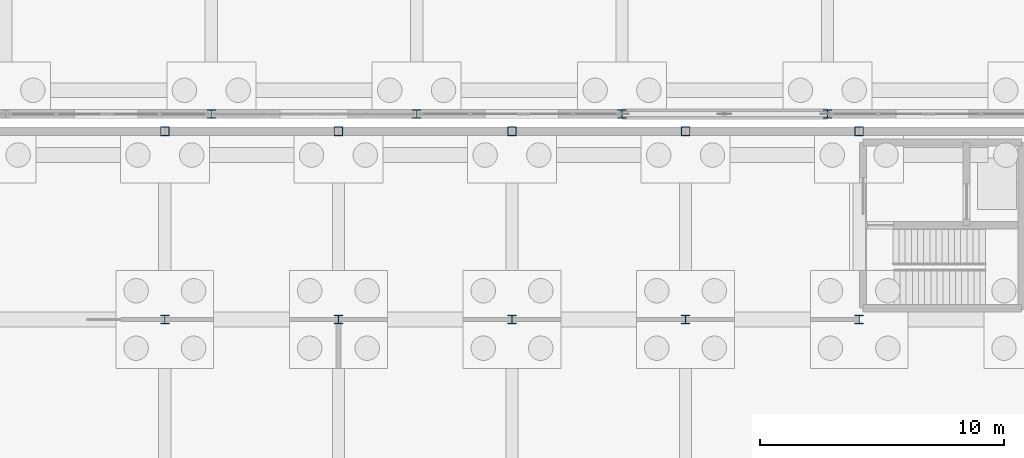
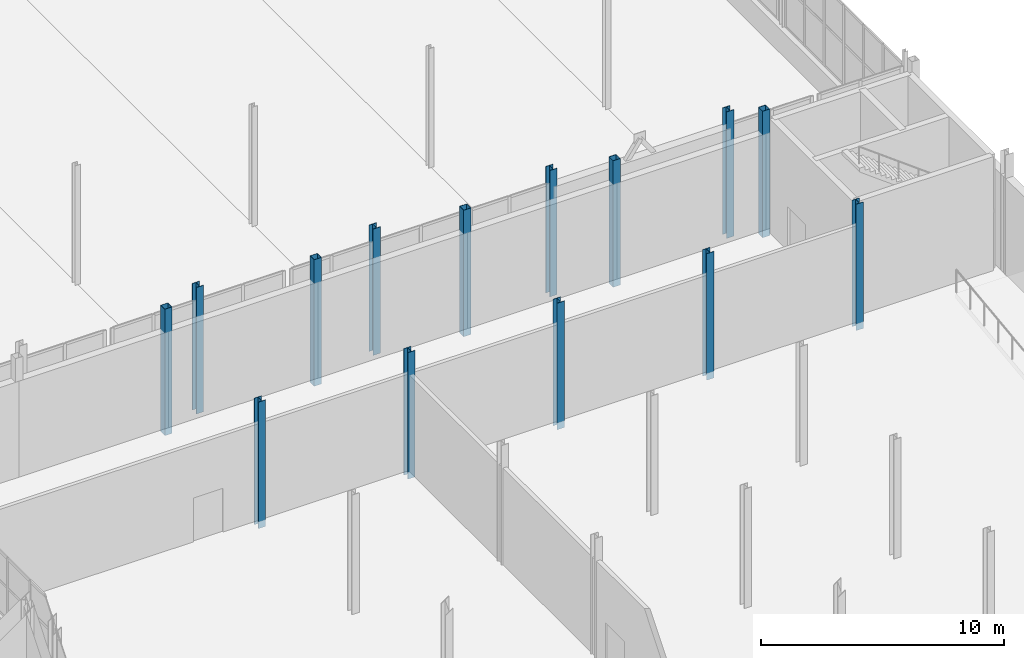
# One storey, part 42 of 139: 14 columns.
"""IFC4 building model written with IfcOpenShell, lengths in metres."""

from ifc_helpers import new_model, si_unit, direction, frame, origin, origin_2d, place, context, subcontext, project, spatial, hollow_rectangle, i_section, extrude, material, material_profile, profile_set, type_object, element, save


model = new_model("IFC4")

# Units and contexts
model_context = context("Model", 3, precision=1e-05, world=origin(), true_north=direction((0.0, 1.0)))
body_context = subcontext(model_context, "Body", "Model", "MODEL_VIEW")
ifc_project = project(units=[si_unit("LENGTHUNIT", "METRE"), si_unit("AREAUNIT", "SQUARE_METRE"), si_unit("VOLUMEUNIT", "CUBIC_METRE"), si_unit("PLANEANGLEUNIT", "RADIAN"), si_unit("MASSUNIT", "GRAM", prefix="KILO")], contexts=[model_context])

# Site, building, storey
site_placement = place(None, origin())
site = spatial("IfcSite", under=ifc_project, at=site_placement, CompositionType="ELEMENT")
building_placement = place(site_placement, origin())
building = spatial("IfcBuilding", under=site, at=building_placement, Name="Kazenagashi Tramway Depot", CompositionType="ELEMENT")
storey_placement = place(building_placement, origin())
storey = spatial("IfcBuildingStorey", under=building, at=storey_placement, Name="L01", CompositionType="ELEMENT", Elevation=0.0)

# Columns
ifc_material_1 = material(Name="Steel SN490B", Category="steel")
ifc_material_profile_1 = material_profile(ifc_material_1, i_section(OverallWidth=0.35, OverallDepth=0.35, WebThickness=0.012, FlangeThickness=0.019, at=origin_2d()), Name="H-350x350x12x19")
ifc_profile_set_1 = profile_set([ifc_material_profile_1], Name="Steel SN490B")
column_type_1 = type_object("IfcColumnType", Name="C-04", PredefinedType="COLUMN", material=ifc_profile_set_1)
for number, where, z_axis, x_axis, name in (
    (1, (162.4, 70.0, -0.35), (0.0, 0.0, 1.0), (1.0, 0.0, 0.0), "Column C-04 COL-0085"),
    (2, (170.8, 70.0, -0.35), (0.0, 0.0, 1.0), (1.0, 0.0, 0.0), "Column C-04 COL-0091"),
    (3, (179.2, 70.0, -0.35), (0.0, 0.0, 1.0), (1.0, 0.0, 0.0), "Column C-04 COL-0097"),
    (4, (187.6, 70.0, -0.35), (0.0, 0.0, 1.0), (1.0, 0.0, 0.0), "Column C-04 COL-0103"),
    (5, (160.5, 61.6, -0.35), (0.0, 0.0, 1.0), (1.0, 0.0, 0.0), "Column C-04 COL-0413"),
    (6, (167.6, 61.6, -0.35), (0.0, 0.0, 1.0), (1.0, 0.0, 0.0), "Column C-04 COL-0438"),
    (7, (174.7, 61.6, -0.35), (0.0, 0.0, 1.0), (1.0, 0.0, 0.0), "Column C-04 COL-0463"),
    (8, (181.8, 61.6, -0.35), (0.0, 0.0, 1.0), (1.0, 0.0, 0.0), "Column C-04 COL-0488"),
    (9, (188.9, 61.6, -0.35), (0.0, 0.0, 1.0), (1.0, 0.0, 0.0), "Column C-04 COL-0498"),
):
    element("IfcColumn", number, at=place(storey_placement, frame(where, z_axis=z_axis, x_axis=x_axis)), inside=storey, type_object=column_type_1, Name=name, PredefinedType="COLUMN", context=body_context, shape_type="SweptSolid", body=[
        extrude(i_section(OverallWidth=0.35, OverallDepth=0.35, WebThickness=0.012, FlangeThickness=0.019, at=origin_2d()), origin(), (0.0, 0.0, 1.0), 6.35),
    ])
ifc_material_2 = material(Name="Steel STKR490", Category="steel")
ifc_material_profile_2 = material_profile(ifc_material_2, hollow_rectangle(XDim=0.35, YDim=0.35, WallThickness=0.012, at=origin_2d()), Name="SHS-350x350x12")
ifc_profile_set_2 = profile_set([ifc_material_profile_2], Name="Steel STKR490")
column_type_2 = type_object("IfcColumnType", Name="C-09", PredefinedType="COLUMN", material=ifc_profile_set_2)
for number, where, z_axis, x_axis, name in (
    (10, (160.5, 69.3, -0.35), (0.0, 0.0, 1.0), (1.0, 0.0, 0.0), "Column C-09 COL-0416"),
    (11, (167.6, 69.3, -0.35), (0.0, 0.0, 1.0), (1.0, 0.0, 0.0), "Column C-09 COL-0441"),
    (12, (174.7, 69.3, -0.35), (0.0, 0.0, 1.0), (1.0, 0.0, 0.0), "Column C-09 COL-0466"),
    (13, (181.8, 69.3, -0.35), (0.0, 0.0, 1.0), (1.0, 0.0, 0.0), "Column C-09 COL-0491"),
    (14, (188.9, 69.3, -0.35), (0.0, 0.0, 1.0), (1.0, 0.0, 0.0), "Column C-09 COL-0501"),
):
    element("IfcColumn", number, at=place(storey_placement, frame(where, z_axis=z_axis, x_axis=x_axis)), inside=storey, type_object=column_type_2, Name=name, PredefinedType="COLUMN", context=body_context, shape_type="SweptSolid", body=[
        extrude(hollow_rectangle(XDim=0.35, YDim=0.35, WallThickness=0.012, at=origin_2d()), origin(), (0.0, 0.0, 1.0), 6.35),
    ])

save(model, "model.ifc")
